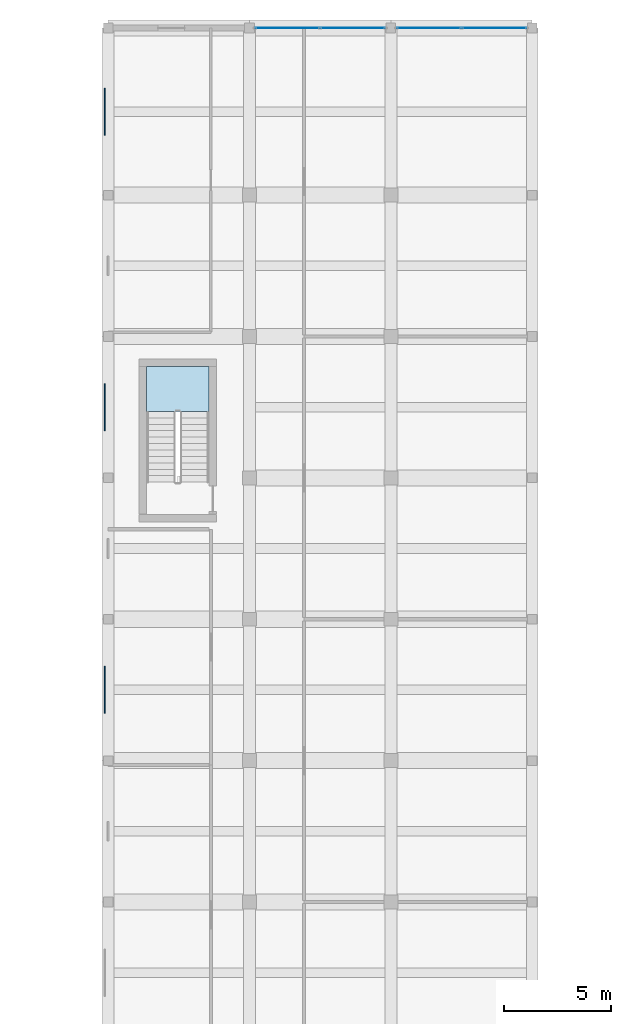
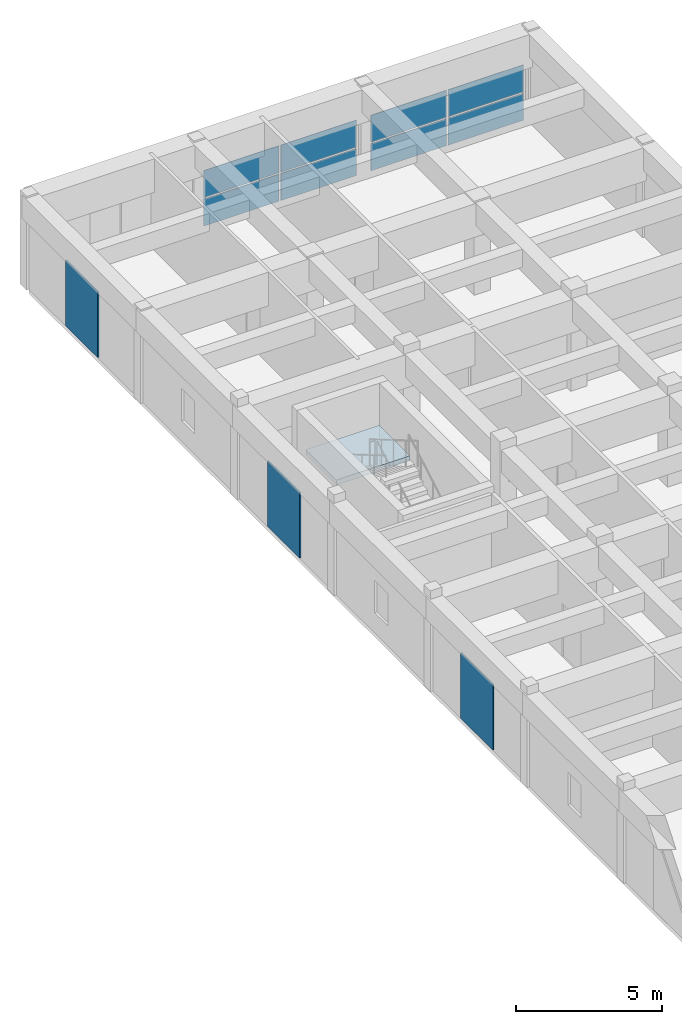
# One storey, part 121 of 157: 11 plates, 1 slab, 3 elements without a shape of their own.
"""IFC4 building model written with IfcOpenShell, lengths in metres."""

import ifcopenshell
import ifcopenshell.guid

model = None  # the IFC model being written
_history = None  # IfcOwnerHistory: only IFC2X3 demands one
_inside = {}  # id of a spatial element -> (the spatial element, [elements in it])
_under = {}  # id of a project, library or spatial element -> (it, [spatial elements below it])
_declared = {}  # id of a project -> (the project, [libraries it declares])
_typed = {}  # id of a type object -> (the type object, [elements of that type])
_made_of = {}  # id of a material, layer set ... -> (it, [elements and type objects made of it])


def new_model(schema):
    """Start an empty IFC model of exactly this schema.

    Asked for "IFC4X3", IfcOpenShell would pick the latest addendum, in which some entities
    have other attributes; the version numbers below select the first issue.
    IFC2X3 requires an IfcOwnerHistory on every rooted entity: one is made here for all.
    """
    global model, _history
    if schema == "IFC4X3":
        model = ifcopenshell.file(schema_version=(4, 3, 0, 0))
    else:
        model = ifcopenshell.file(schema=schema)
    _inside.clear()
    _under.clear()
    _declared.clear()
    _typed.clear()
    _made_of.clear()
    _history = None
    if model.schema == "IFC2X3":
        org = make("IfcOrganization", Name="unknown")
        user = make(
            "IfcPersonAndOrganization",
            ThePerson=make("IfcPerson", FamilyName="unknown"),
            TheOrganization=org,
        )
        app = make(
            "IfcApplication",
            ApplicationDeveloper=org,
            Version="unknown",
            ApplicationFullName="unknown",
            ApplicationIdentifier="unknown",
        )
        _history = make(
            "IfcOwnerHistory",
            OwningUser=user,
            OwningApplication=app,
            ChangeAction="ADDED",
            CreationDate=0,
        )
    return model


def make(cls, **values):
    """One entity of the class cls with the attributes given. An attribute that is None is left unset."""
    return model.create_entity(
        cls, **{name: value for name, value in values.items() if value is not None}
    )


def rooted(cls, **values):
    """An entity with a GlobalId (a new one), such as an element, a storey or a relation."""
    return make(cls, GlobalId=ifcopenshell.guid.new(), OwnerHistory=_history, **values)


def si_unit(unit_type, name, prefix=None):
    """IfcSIUnit, for example si_unit("LENGTHUNIT", "METRE", prefix="MILLI")."""
    return make("IfcSIUnit", UnitType=unit_type, Prefix=prefix, Name=name)


def assignment(units):
    """IfcUnitAssignment: the units of a project."""
    return None if units is None else make("IfcUnitAssignment", Units=units)


def point(xyz):
    """IfcCartesianPoint."""
    return None if xyz is None else make("IfcCartesianPoint", Coordinates=xyz)


def direction(xyz):
    """IfcDirection."""
    return None if xyz is None else make("IfcDirection", DirectionRatios=xyz)


def frame(location, z_axis=None, x_axis=None):
    """IfcAxis2Placement3D, a coordinate frame: its origin and axes. An axis left out is left unset."""
    return make(
        "IfcAxis2Placement3D",
        Location=point(location),
        Axis=direction(z_axis),
        RefDirection=direction(x_axis),
    )


def frame_2d(location, x_axis=None):
    """IfcAxis2Placement2D, a coordinate frame in the plane: its origin and x axis."""
    return make(
        "IfcAxis2Placement2D", Location=point(location), RefDirection=direction(x_axis)
    )


def origin():
    """The frame at (0, 0, 0) with its axes left unset."""
    return frame((0.0, 0.0, 0.0))


def origin_2d():
    """The frame at (0, 0) in the plane with its x axis left unset."""
    return frame_2d((0.0, 0.0))


def place(relative_to, where):
    """IfcLocalPlacement: puts the frame where relative to a parent placement (None: the world)."""
    return make(
        "IfcLocalPlacement", PlacementRelTo=relative_to, RelativePlacement=where
    )


def context(
    kind, dimensions, precision=None, world=None, true_north=None, identifier=None
):
    """IfcGeometricRepresentationContext, for example the 3D "Model" context."""
    return make(
        "IfcGeometricRepresentationContext",
        ContextIdentifier=identifier,
        ContextType=kind,
        CoordinateSpaceDimension=dimensions,
        Precision=precision,
        WorldCoordinateSystem=world,
        TrueNorth=true_north,
    )


def subcontext(parent, identifier, kind, view, scale=None):
    """IfcGeometricRepresentationSubContext, for example "Body" below "Model"."""
    return make(
        "IfcGeometricRepresentationSubContext",
        ContextIdentifier=identifier,
        ContextType=kind,
        ParentContext=parent,
        TargetScale=scale,
        TargetView=view,
    )


def project(units=None, contexts=None):
    """IfcProject with its units and contexts."""
    return rooted(
        "IfcProject",
        Name="project",
        RepresentationContexts=contexts,
        UnitsInContext=assignment(units),
    )


def spatial(cls, under=None, at=None, **own):
    """A site, building, storey or space (cls), placed at a placement, below another one or the project."""
    s = rooted(cls, ObjectPlacement=at, **own)
    if under is not None:
        _under.setdefault(under.id(), (under, []))[1].append(s)
    return s


def polyline(points):
    """IfcPolyline through the points."""
    return make("IfcPolyline", Points=[point(p) for p in points])


def profile(cls, at=None, kind="AREA", **sizes):
    """A parametric profile (cls). Its sizes go by their IFC names, for example OverallWidth=200.0."""
    return make(cls, ProfileType=kind, Position=at, **sizes)


def rectangle(**sizes):
    """IfcRectangleProfileDef."""
    return profile("IfcRectangleProfileDef", **sizes)


def outline(outer, holes=None, kind="AREA"):
    """IfcArbitraryClosedProfileDef: a profile drawn as a closed curve; with holes, ...WithVoids."""
    if holes is None:
        return make("IfcArbitraryClosedProfileDef", ProfileType=kind, OuterCurve=outer)
    return make(
        "IfcArbitraryProfileDefWithVoids",
        ProfileType=kind,
        OuterCurve=outer,
        InnerCurves=holes,
    )


def extrude(swept, where, along, depth):
    """IfcExtrudedAreaSolid: the profile swept, set in the frame where, extruded along a direction by depth."""
    return make(
        "IfcExtrudedAreaSolid",
        SweptArea=swept,
        Position=where,
        ExtrudedDirection=direction(along),
        Depth=depth,
    )


def shape(context_of_items, identifier, shape_type, items):
    """IfcShapeRepresentation: the items that make up one representation, for example the "Body"."""
    return make(
        "IfcShapeRepresentation",
        ContextOfItems=context_of_items,
        RepresentationIdentifier=identifier,
        RepresentationType=shape_type,
        Items=items,
    )


def material(Name=None, Category=None):
    """IfcMaterial."""
    return make("IfcMaterial", Name=Name, Category=Category)


def layer(
    of_material, thickness, ventilated=None, Name=None, Category=None, Priority=None
):
    """IfcMaterialLayer: one layer of a wall or slab, of a material (None: an air gap)."""
    return make(
        "IfcMaterialLayer",
        Material=of_material,
        LayerThickness=thickness,
        IsVentilated=ventilated,
        Name=Name,
        Category=Category,
        Priority=Priority,
    )


def layer_set(layers, Name=None):
    """IfcMaterialLayerSet."""
    return make("IfcMaterialLayerSet", MaterialLayers=layers, LayerSetName=Name)


def made_of(thing, what):
    """Note that an element or type object is made of a material, layer set ...; save() writes the relation."""
    if what is not None:
        _made_of.setdefault(what.id(), (what, []))[1].append(thing)
    return thing


def type_object(cls, material=None, **own):
    """A type object (cls), such as IfcWallType, which elements share."""
    return made_of(rooted(cls, **own), material)


def element(
    cls,
    number,
    at=None,
    inside=None,
    cuts=None,
    type_object=None,
    material=None,
    context=None,
    identifier="Body",
    shape_type=None,
    held_by="IfcProductDefinitionShape",
    body=None,
    shapes=None,
    **own,
):
    """One element of the class cls, such as IfcWall. Its Tag is "e" and its number.

    at: its placement. inside: the storey or other place that contains it. cuts: it is an
    opening in that element (IfcRelVoidsElement). A single representation is given by context,
    identifier, shape_type and body (its items); several are given by shapes. held_by: the class
    of the entity that holds the representations. save() writes the other relations.
    """
    e = rooted(cls, Tag="e%d" % number, ObjectPlacement=at, **own)
    if body is not None:
        shapes = [shape(context, identifier, shape_type, body)]
    if shapes is not None:
        e.Representation = make(held_by, Representations=shapes)
    if inside is not None:
        _inside.setdefault(inside.id(), (inside, []))[1].append(e)
    if cuts is not None:
        rooted(
            "IfcRelVoidsElement", RelatingBuildingElement=cuts, RelatedOpeningElement=e
        )
    if type_object is not None:
        _typed.setdefault(type_object.id(), (type_object, []))[1].append(e)
    return made_of(e, material)


def aggregate(whole, parts):
    """IfcRelAggregates: a whole, such as a stair, and the parts it consists of."""
    return rooted("IfcRelAggregates", RelatingObject=whole, RelatedObjects=parts)


def save(model, path):
    """Write the relations noted so far, then the file.

    IfcRelAggregates (storeys below a building ...), IfcRelContainedInSpatialStructure (elements
    in a storey), IfcRelDefinesByType, IfcRelAssociatesMaterial and IfcRelDeclares: one each for
    every whole, place, type object, material and project.
    """
    for whole, parts in _under.values():
        aggregate(whole, parts)
    for where, things in _inside.values():
        rooted(
            "IfcRelContainedInSpatialStructure",
            RelatedElements=things,
            RelatingStructure=where,
        )
    for kind, things in _typed.values():
        rooted("IfcRelDefinesByType", RelatedObjects=things, RelatingType=kind)
    for what, things in _made_of.values():
        rooted("IfcRelAssociatesMaterial", RelatedObjects=things, RelatingMaterial=what)
    for by, libraries in _declared.values():
        rooted("IfcRelDeclares", RelatingContext=by, RelatedDefinitions=libraries)
    model.write(path)


model = new_model("IFC4")

# Units and contexts
model_context = context("Model", 3, precision=1e-05, world=origin(), true_north=direction((0.0, 1.0)))
body_context = subcontext(model_context, "Body", "Model", "MODEL_VIEW")
ifc_project = project(units=[si_unit("LENGTHUNIT", "METRE"), si_unit("AREAUNIT", "SQUARE_METRE"), si_unit("VOLUMEUNIT", "CUBIC_METRE"), si_unit("PLANEANGLEUNIT", "RADIAN"), si_unit("MASSUNIT", "GRAM", prefix="KILO")], contexts=[model_context])

# Site, building, storey
site_placement = place(None, origin())
site = spatial("IfcSite", under=ifc_project, at=site_placement, CompositionType="ELEMENT")
building_placement = place(site_placement, origin())
building = spatial("IfcBuilding", under=site, at=building_placement, Name="Karori Crest Natural Sciences Institute", CompositionType="ELEMENT")
storey_placement = place(building_placement, frame((0.0, 0.0, 13.300048828125)))
storey = spatial("IfcBuildingStorey", under=building, at=storey_placement, Name="L03", CompositionType="ELEMENT", Elevation=13.300048828125)

# Curtain wall, plates
ifc_material_1 = material(Name="Anodised architectural aluminium 6063-T6", Category="aluminium")
curtain_wall_type = type_object("IfcCurtainWallType", Name="CWT-19", PredefinedType="NOTDEFINED", material=ifc_material_1)
curtain_wall_1_placement = place(storey_placement, origin())
curtain_wall_1 = element("IfcCurtainWall", 1, at=curtain_wall_1_placement, inside=storey, type_object=curtain_wall_type, Name="Curtain wall CW-0292", PredefinedType="NOTDEFINED")
ifc_material_2 = material(Name="Double low-E laminated glass", Category="glass")
ifc_layer_1 = layer(ifc_material_2, 0.02392578125, Name="Double low-E laminated glass")
ifc_layer_set_1 = layer_set([ifc_layer_1], Name="Double low-E laminated glass")
plate_type_1 = type_object("IfcPlateType", Name="CWP-01", PredefinedType="CURTAIN_PANEL", material=ifc_layer_set_1)
plate_1_placement = place(storey_placement, frame((15.77783203125, 162.199951171875, 0.06005859375), z_axis=(0.0, 0.0, 1.0), x_axis=(1.0, 0.0, 0.0)))
plate_1 = element("IfcPlate", 2, at=plate_1_placement, type_object=plate_type_1, Name="CW-0292 panel 1.1", PredefinedType="CURTAIN_PANEL", context=body_context, shape_type="SweptSolid", body=[
    extrude(rectangle(XDim=2.9794921875, YDim=0.02392578125, at=origin_2d()), origin(), (0.0, 0.0, 1.0), 1.12744140625),
])
plate_2_placement = place(storey_placement, frame((15.77783203125, 162.199951171875, 1.24755859375), z_axis=(0.0, 0.0, 1.0), x_axis=(1.0, 0.0, 0.0)))
plate_2 = element("IfcPlate", 3, at=plate_2_placement, type_object=plate_type_1, Name="CW-0292 panel 1.2", PredefinedType="CURTAIN_PANEL", context=body_context, shape_type="SweptSolid", body=[
    extrude(rectangle(XDim=2.9794921875, YDim=0.02392578125, at=origin_2d()), origin(), (0.0, 0.0, 1.0), 1.12744140625),
])
plate_3_placement = place(storey_placement, frame((18.822265625, 162.199951171875, 0.06005859375), z_axis=(0.0, 0.0, 1.0), x_axis=(1.0, 0.0, 0.0)))
plate_3 = element("IfcPlate", 4, at=plate_3_placement, type_object=plate_type_1, Name="CW-0292 panel 2.1", PredefinedType="CURTAIN_PANEL", context=body_context, shape_type="SweptSolid", body=[
    extrude(rectangle(XDim=2.9794921875, YDim=0.02392578125, at=origin_2d()), origin(), (0.0, 0.0, 1.0), 1.12744140625),
])
plate_4_placement = place(storey_placement, frame((18.822265625, 162.199951171875, 1.24755859375), z_axis=(0.0, 0.0, 1.0), x_axis=(1.0, 0.0, 0.0)))
plate_4 = element("IfcPlate", 5, at=plate_4_placement, type_object=plate_type_1, Name="CW-0292 panel 2.2", PredefinedType="CURTAIN_PANEL", context=body_context, shape_type="SweptSolid", body=[
    extrude(rectangle(XDim=2.9794921875, YDim=0.02392578125, at=origin_2d()), origin(), (0.0, 0.0, 1.0), 1.12744140625),
])
aggregate(curtain_wall_1, [plate_1, plate_2, plate_3, plate_4])

curtain_wall_2_placement = place(storey_placement, origin())
curtain_wall_2 = element("IfcCurtainWall", 6, at=curtain_wall_2_placement, inside=storey, type_object=curtain_wall_type, Name="Curtain wall CW-0293", PredefinedType="NOTDEFINED")
plate_5_placement = place(storey_placement, frame((22.377685546875, 162.199951171875, 0.06005859375), z_axis=(0.0, 0.0, 1.0), x_axis=(1.0, 0.0, 0.0)))
plate_5 = element("IfcPlate", 7, at=plate_5_placement, type_object=plate_type_1, Name="CW-0293 panel 1.1", PredefinedType="CURTAIN_PANEL", context=body_context, shape_type="SweptSolid", body=[
    extrude(rectangle(XDim=2.9794921875, YDim=0.02392578125, at=origin_2d()), origin(), (0.0, 0.0, 1.0), 1.12744140625),
])
plate_6_placement = place(storey_placement, frame((22.377685546875, 162.199951171875, 1.24755859375), z_axis=(0.0, 0.0, 1.0), x_axis=(1.0, 0.0, 0.0)))
plate_6 = element("IfcPlate", 8, at=plate_6_placement, type_object=plate_type_1, Name="CW-0293 panel 1.2", PredefinedType="CURTAIN_PANEL", context=body_context, shape_type="SweptSolid", body=[
    extrude(rectangle(XDim=2.9794921875, YDim=0.02392578125, at=origin_2d()), origin(), (0.0, 0.0, 1.0), 1.12744140625),
])
plate_7_placement = place(storey_placement, frame((25.42236328125, 162.199951171875, 0.06005859375), z_axis=(0.0, 0.0, 1.0), x_axis=(1.0, 0.0, 0.0)))
plate_7 = element("IfcPlate", 9, at=plate_7_placement, type_object=plate_type_1, Name="CW-0293 panel 2.1", PredefinedType="CURTAIN_PANEL", context=body_context, shape_type="SweptSolid", body=[
    extrude(rectangle(XDim=2.9794921875, YDim=0.02392578125, at=origin_2d()), origin(), (0.0, 0.0, 1.0), 1.12744140625),
])
plate_8_placement = place(storey_placement, frame((25.42236328125, 162.199951171875, 1.24755859375), z_axis=(0.0, 0.0, 1.0), x_axis=(1.0, 0.0, 0.0)))
plate_8 = element("IfcPlate", 10, at=plate_8_placement, type_object=plate_type_1, Name="CW-0293 panel 2.2", PredefinedType="CURTAIN_PANEL", context=body_context, shape_type="SweptSolid", body=[
    extrude(rectangle(XDim=2.9794921875, YDim=0.02392578125, at=origin_2d()), origin(), (0.0, 0.0, 1.0), 1.12744140625),
])
aggregate(curtain_wall_2, [plate_5, plate_6, plate_7, plate_8])

# Plates
ifc_layer_2 = layer(ifc_material_1, 0.052001953125, Name="Anodised architectural aluminium 6063-T6")
ifc_layer_set_2 = layer_set([ifc_layer_2], Name="Anodised architectural aluminium 6063-T6")
plate_type_2 = type_object("IfcPlateType", Name="PLT-02", PredefinedType="SHEET", material=ifc_layer_set_2)
for number, where, z_axis, x_axis, name in (
    (11, (7.25, 131.300048828125, 0.07470703125), (0.0, 0.0, 1.0), (1.0, 0.0, 0.0), "Metabolist service chase cladding PL-0010"),
    (12, (7.25, 144.5, 0.07470703125), (0.0, 0.0, 1.0), (1.0, 0.0, 0.0), "Metabolist service chase cladding PL-0011"),
    (13, (7.25, 158.300048828125, 0.07470703125), (0.0, 0.0, 1.0), (1.0, 0.0, 0.0), "Metabolist service chase cladding PL-0012"),
):
    element("IfcPlate", number, at=place(storey_placement, frame(where, z_axis=z_axis, x_axis=x_axis)), inside=storey, type_object=plate_type_2, Name=name, PredefinedType="SHEET", context=body_context, shape_type="SweptSolid", body=[
        extrude(rectangle(XDim=0.052001953125, YDim=2.199951171875, at=origin_2d()), origin(), (0.0, 0.0, 1.0), 2.735107421875),
    ])

# Stair, slab
ifc_material_3 = material(Name="Concrete 40 MPa", Category="concrete")
stair_type = type_object("IfcStairType", Name="STT-01", PredefinedType="HALF_TURN_STAIR", material=ifc_material_3)
stair_placement = place(storey_placement, origin())
stair = element("IfcStair", 14, at=stair_placement, inside=storey, type_object=stair_type, Name="Protected stair ST-06-L03", PredefinedType="HALF_TURN_STAIR")
ifc_layer_3 = layer(ifc_material_3, 0.2099609375, Name="Concrete 40 MPa")
ifc_layer_set_3 = layer_set([ifc_layer_3], Name="Concrete 40 MPa")
slab_type = type_object("IfcSlabType", Name="SLT-11", PredefinedType="LANDING", material=ifc_layer_set_3)
slab_placement = place(storey_placement, frame((0.0, 0.0, 1.889892578125)))
slab = element("IfcSlab", 15, at=slab_placement, type_object=slab_type, Name="ST-06-L03 landing 1", PredefinedType="LANDING", context=body_context, shape_type="SweptSolid", body=[
    extrude(outline(polyline([(12.10009765625, 144.300048828125), (12.10009765625, 146.39990234375), (9.199951171875, 146.39990234375), (9.199951171875, 144.300048828125), (12.10009765625, 144.300048828125)])), origin(), (0.0, 0.0, 1.0), 0.2099609375),
])
aggregate(stair, [slab])

save(model, "model.ifc")
